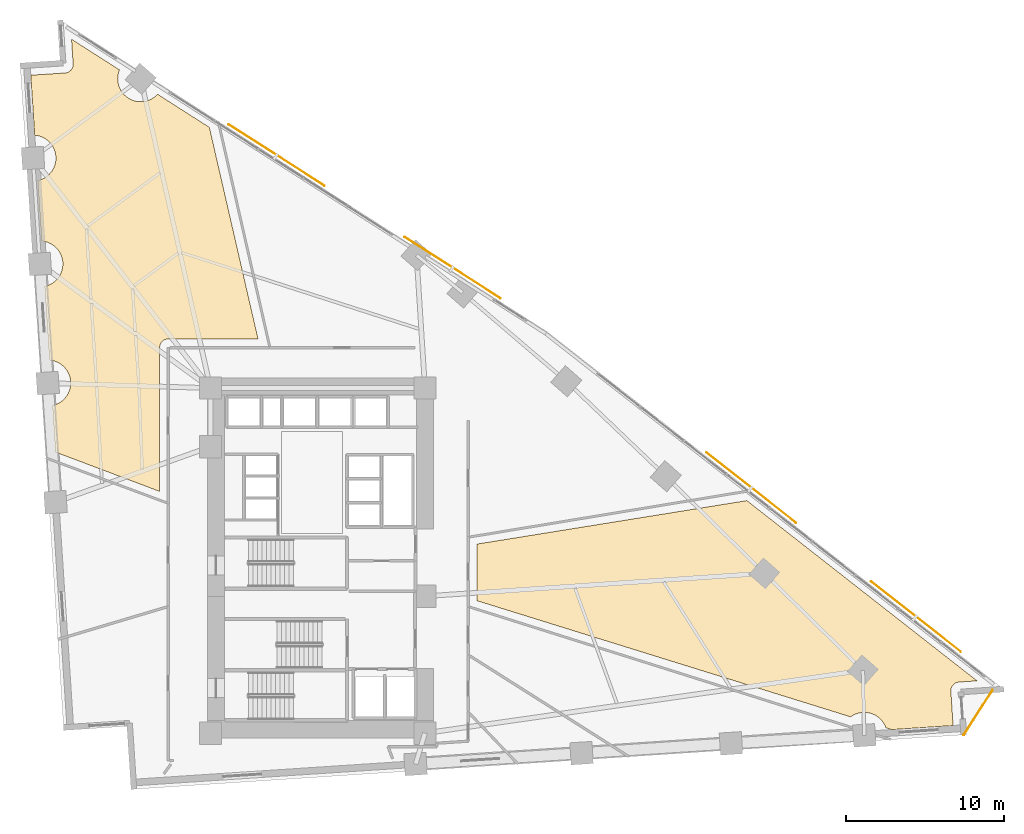
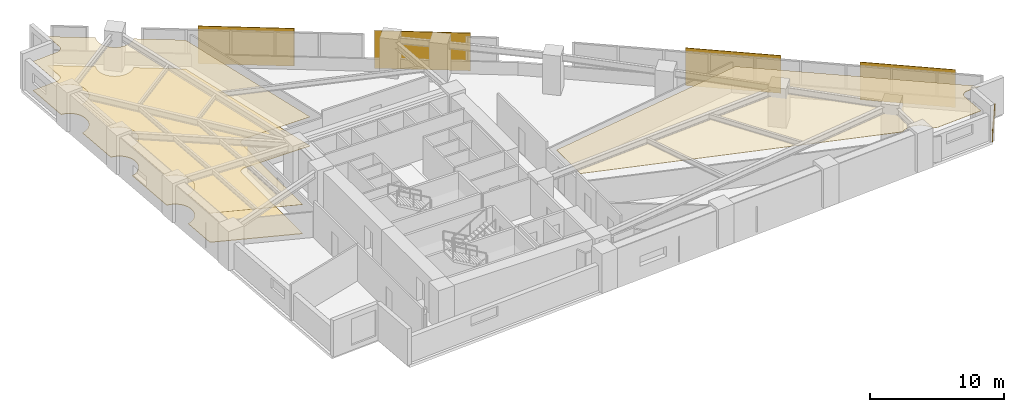
# One storey, part 15 of 15: 4 shading devices, 3 coverings, 1 railing.
"""IFC4 building model written with IfcOpenShell, lengths in metres."""

from ifc_helpers import new_model, si_unit, direction, frame, origin, origin_2d, place, context, subcontext, project, spatial, polyline, rectangle, circle, outline, extrude, material, layer, layer_set, type_object, element, save


model = new_model("IFC4")

# Units and contexts
model_context = context("Model", 3, precision=1e-05, world=origin(), true_north=direction((0.0, 1.0)))
body_context = subcontext(model_context, "Body", "Model", "MODEL_VIEW")
ifc_project = project(units=[si_unit("LENGTHUNIT", "METRE"), si_unit("AREAUNIT", "SQUARE_METRE"), si_unit("VOLUMEUNIT", "CUBIC_METRE"), si_unit("PLANEANGLEUNIT", "RADIAN"), si_unit("MASSUNIT", "GRAM", prefix="KILO")], contexts=[model_context])

# Site, building, storey
site_placement = place(None, origin())
site = spatial("IfcSite", under=ifc_project, at=site_placement, CompositionType="ELEMENT")
building_placement = place(site_placement, origin())
building = spatial("IfcBuilding", under=site, at=building_placement, Name="Narakoshi Arena Tower", CompositionType="ELEMENT")
storey_placement = place(building_placement, frame((0.0, 0.0, 70.5)))
storey = spatial("IfcBuildingStorey", under=building, at=storey_placement, Name="L18", CompositionType="ELEMENT", Elevation=70.5)

# Coverings
ifc_material_1 = material(Name="Acoustic mineral-fibre ceiling tile")
ifc_layer_1 = layer(ifc_material_1, 0.02001953125)
ifc_layer_set_1 = layer_set([ifc_layer_1], Name="Acoustic mineral-fibre ceiling tile")
covering_type_1 = type_object("IfcCoveringType", Name="COV-CLG-AC20", PredefinedType="CEILING", material=ifc_layer_set_1)
covering_1_placement = place(storey_placement, frame((0.0, 0.0, 2.669921875)))
element("IfcCovering", 1, at=covering_1_placement, inside=storey, type_object=covering_type_1, Name="L18 Suspended Acoustic Ceiling 1", PredefinedType="CEILING", context=body_context, shape_type="SweptSolid", body=[
    extrude(outline(polyline([(62.863037109375, 76.41552734375), (62.915771484375, 76.427001953125), (62.967041015625, 76.443603515625), (63.0166015625, 76.46484375), (63.063720703125, 76.4912109375), (63.108154296875, 76.52197265625), (63.1494140625, 76.556884765625), (63.18701171875, 76.595703125), (63.220458984375, 76.6376953125), (63.249755859375, 76.68310546875), (63.2744140625, 76.731201171875), (63.294189453125, 76.781494140625), (63.30908203125, 76.833251953125), (63.318603515625, 76.886474609375), (63.322998046875, 76.940185546875), (63.322265625, 76.994140625), (63.220703125, 78.541259765625), (66.252197265625, 76.602294921875), (66.250244140625, 76.598388671875), (66.202392578125, 76.46435546875), (66.167724609375, 76.326416015625), (66.14697265625, 76.185546875), (66.139892578125, 76.04345703125), (66.14697265625, 75.9013671875), (66.167724609375, 75.760498046875), (66.202392578125, 75.62255859375), (66.250244140625, 75.488525390625), (66.31103515625, 75.35986328125), (66.38427734375, 75.23779296875), (66.468994140625, 75.12353515625), (66.564697265625, 75.01806640625), (66.669921875, 74.922607421875), (66.7841796875, 74.837890625), (66.906494140625, 74.7646484375), (67.034912109375, 74.703857421875), (67.1689453125, 74.65576171875), (67.306884765625, 74.621337890625), (67.44775390625, 74.600341796875), (67.58984375, 74.593505859375), (67.73193359375, 74.600341796875), (67.872802734375, 74.621337890625), (68.0107421875, 74.65576171875), (68.144775390625, 74.703857421875), (68.2734375, 74.7646484375), (68.3955078125, 74.837890625), (68.509765625, 74.922607421875), (68.615234375, 75.01806640625), (68.656982421875, 75.064208984375), (71.929443359375, 72.970947265625), (75.001708984375, 59.610107421875), (69.340087890625, 59.610107421875), (69.2861328125, 59.607421875), (69.232666015625, 59.599365234375), (69.180419921875, 59.586181640625), (69.12939453125, 59.568115234375), (69.080810546875, 59.545166015625), (69.034423828125, 59.517333984375), (68.9912109375, 59.485107421875), (68.951171875, 59.448974609375), (68.914794921875, 59.408935546875), (68.8828125, 59.365478515625), (68.85498046875, 59.3193359375), (68.831787109375, 59.2705078125), (68.813720703125, 59.2197265625), (68.800537109375, 59.167236328125), (68.79248046875, 59.114013671875), (68.7900390625, 59.06005859375), (68.7900390625, 49.972900390625), (62.20849609375, 52.45361328125), (62.015380859375, 55.40087890625), (62.1376953125, 55.431396484375), (62.271728515625, 55.4794921875), (62.400390625, 55.540283203125), (62.5224609375, 55.61328125), (62.63671875, 55.697998046875), (62.7421875, 55.793701171875), (62.837890625, 55.899169921875), (62.922607421875, 56.013427734375), (62.99560546875, 56.135498046875), (63.056396484375, 56.26416015625), (63.1044921875, 56.398193359375), (63.138916015625, 56.5361328125), (63.159912109375, 56.677001953125), (63.1669921875, 56.819091796875), (63.159912109375, 56.961181640625), (63.138916015625, 57.101806640625), (63.1044921875, 57.239990234375), (63.056396484375, 57.373779296875), (62.99560546875, 57.50244140625), (62.922607421875, 57.62451171875), (62.837890625, 57.739013671875), (62.7421875, 57.84423828125), (62.63671875, 57.93994140625), (62.5224609375, 58.024658203125), (62.400390625, 58.097900390625), (62.271728515625, 58.15869140625), (62.1376953125, 58.20654296875), (61.999755859375, 58.2412109375), (61.85888671875, 58.261962890625), (61.82763671875, 58.263671875), (61.522216796875, 62.9248046875), (61.644775390625, 62.955322265625), (61.77880859375, 63.00341796875), (61.9072265625, 63.064208984375), (62.029296875, 63.137451171875), (62.143798828125, 63.22216796875), (62.2490234375, 63.317626953125), (62.3447265625, 63.423095703125), (62.429443359375, 63.537353515625), (62.502685546875, 63.659423828125), (62.5634765625, 63.7880859375), (62.611328125, 63.922119140625), (62.64599609375, 64.06005859375), (62.666748046875, 64.200927734375), (62.673828125, 64.343017578125), (62.666748046875, 64.485107421875), (62.64599609375, 64.6259765625), (62.611328125, 64.763916015625), (62.5634765625, 64.89794921875), (62.502685546875, 65.026611328125), (62.429443359375, 65.148681640625), (62.3447265625, 65.262939453125), (62.2490234375, 65.368408203125), (62.143798828125, 65.4638671875), (62.029296875, 65.548583984375), (61.9072265625, 65.621826171875), (61.77880859375, 65.6826171875), (61.644775390625, 65.730712890625), (61.506591796875, 65.76513671875), (61.365966796875, 65.785888671875), (61.334716796875, 65.78759765625), (61.083984375, 69.61279296875), (61.206298828125, 69.643310546875), (61.34033203125, 69.69140625), (61.468994140625, 69.752197265625), (61.591064453125, 69.8251953125), (61.705322265625, 69.909912109375), (61.810791015625, 70.005615234375), (61.90625, 70.111083984375), (61.990966796875, 70.225341796875), (62.064208984375, 70.347412109375), (62.125, 70.47607421875), (62.173095703125, 70.610107421875), (62.20751953125, 70.748046875), (62.228515625, 70.888916015625), (62.2353515625, 71.031005859375), (62.228515625, 71.173095703125), (62.20751953125, 71.313720703125), (62.173095703125, 71.451904296875), (62.125, 71.585693359375), (62.064208984375, 71.71435546875), (61.990966796875, 71.83642578125), (61.90625, 71.95068359375), (61.810791015625, 72.05615234375), (61.705322265625, 72.15185546875), (61.591064453125, 72.236572265625), (61.468994140625, 72.309814453125), (61.34033203125, 72.37060546875), (61.206298828125, 72.41845703125), (61.068359375, 72.452880859375), (60.927490234375, 72.473876953125), (60.896240234375, 72.4755859375), (60.647705078125, 76.267578125), (62.809326171875, 76.409423828125), (62.863037109375, 76.41552734375)])), origin(), (0.0, 0.0, 1.0), 0.02001953125),
])
ifc_material_2 = material(Name="Slatted oak acoustic timber baffle", Category="wood")
ifc_layer_2 = layer(ifc_material_2, 0.034912109375)
ifc_layer_set_2 = layer_set([ifc_layer_2], Name="Slatted oak acoustic timber baffle")
covering_type_2 = type_object("IfcCoveringType", Name="COV-CLG-WD35", PredefinedType="CEILING", material=ifc_layer_set_2)
covering_2_placement = place(storey_placement, frame((0.0, 0.0, 2.655029296875)))
element("IfcCovering", 2, at=covering_2_placement, inside=storey, type_object=covering_type_2, Name="L18 Suspended Acoustic Ceiling 2", PredefinedType="CEILING", context=body_context, shape_type="SweptSolid", body=[
    extrude(outline(polyline([(119.23193359375, 37.922607421875), (119.17919921875, 37.9111328125), (119.1279296875, 37.89453125), (119.078369140625, 37.873046875), (119.03125, 37.846923828125), (118.98681640625, 37.816162109375), (118.945556640625, 37.78125), (118.908203125, 37.742431640625), (118.87451171875, 37.7001953125), (118.84521484375, 37.65478515625), (118.820556640625, 37.606689453125), (118.80078125, 37.556640625), (118.785888671875, 37.504638671875), (118.7763671875, 37.45166015625), (118.77197265625, 37.397705078125), (118.772705078125, 37.34375), (118.91455078125, 35.181884765625), (115.0283203125, 34.92724609375), (114.66748046875, 35.03955078125), (114.63916015625, 35.118408203125), (114.578369140625, 35.2470703125), (114.505126953125, 35.369140625), (114.42041015625, 35.4833984375), (114.324951171875, 35.5888671875), (114.219482421875, 35.684326171875), (114.105224609375, 35.76904296875), (113.983154296875, 35.84228515625), (113.8544921875, 35.903076171875), (113.720458984375, 35.951171875), (113.58251953125, 35.985595703125), (113.441650390625, 36.006591796875), (113.299560546875, 36.013427734375), (113.157470703125, 36.006591796875), (113.0166015625, 35.985595703125), (112.878662109375, 35.951171875), (112.74462890625, 35.903076171875), (112.6162109375, 35.84228515625), (112.493896484375, 35.76904296875), (112.442626953125, 35.731201171875), (88.83740234375, 43.068603515625), (88.83740234375, 46.6474609375), (105.8828125, 49.39306640625), (120.429931640625, 38.003662109375), (119.28564453125, 37.9287109375), (119.23193359375, 37.922607421875)])), origin(), (0.0, 0.0, 1.0), 0.034912109375),
])
ifc_material_3 = material(Name="Raised steel access floor panel", Category="steel")
ifc_layer_3 = layer(ifc_material_3, 0.044921875)
ifc_layer_set_3 = layer_set([ifc_layer_3], Name="Raised steel access floor panel")
covering_type_3 = type_object("IfcCoveringType", Name="COV-FLR-RF45", PredefinedType="FLOORING", material=ifc_layer_set_3)
covering_3_placement = place(storey_placement, origin())
element("IfcCovering", 3, at=covering_3_placement, inside=storey, type_object=covering_type_3, Name="L18 Raised Steel Access Floor", PredefinedType="FLOORING", context=body_context, shape_type="SweptSolid", body=[
    extrude(outline(polyline([(62.863037109375, 76.41552734375), (62.915771484375, 76.427001953125), (62.967041015625, 76.443603515625), (63.0166015625, 76.46484375), (63.063720703125, 76.4912109375), (63.108154296875, 76.52197265625), (63.1494140625, 76.556884765625), (63.18701171875, 76.595703125), (63.220458984375, 76.6376953125), (63.249755859375, 76.68310546875), (63.2744140625, 76.731201171875), (63.294189453125, 76.781494140625), (63.30908203125, 76.833251953125), (63.318603515625, 76.886474609375), (63.322998046875, 76.940185546875), (63.322265625, 76.994140625), (63.220703125, 78.541259765625), (66.252197265625, 76.602294921875), (66.250244140625, 76.598388671875), (66.202392578125, 76.46435546875), (66.167724609375, 76.326416015625), (66.14697265625, 76.185546875), (66.139892578125, 76.04345703125), (66.14697265625, 75.9013671875), (66.167724609375, 75.760498046875), (66.202392578125, 75.62255859375), (66.250244140625, 75.488525390625), (66.31103515625, 75.35986328125), (66.38427734375, 75.23779296875), (66.468994140625, 75.12353515625), (66.564697265625, 75.01806640625), (66.669921875, 74.922607421875), (66.7841796875, 74.837890625), (66.906494140625, 74.7646484375), (67.034912109375, 74.703857421875), (67.1689453125, 74.65576171875), (67.306884765625, 74.621337890625), (67.44775390625, 74.600341796875), (67.58984375, 74.593505859375), (67.73193359375, 74.600341796875), (67.872802734375, 74.621337890625), (68.0107421875, 74.65576171875), (68.144775390625, 74.703857421875), (68.2734375, 74.7646484375), (68.3955078125, 74.837890625), (68.509765625, 74.922607421875), (68.615234375, 75.01806640625), (68.656982421875, 75.064208984375), (71.929443359375, 72.970947265625), (75.001708984375, 59.610107421875), (69.340087890625, 59.610107421875), (69.2861328125, 59.607421875), (69.232666015625, 59.599365234375), (69.180419921875, 59.586181640625), (69.12939453125, 59.568115234375), (69.080810546875, 59.545166015625), (69.034423828125, 59.517333984375), (68.9912109375, 59.485107421875), (68.951171875, 59.448974609375), (68.914794921875, 59.408935546875), (68.8828125, 59.365478515625), (68.85498046875, 59.3193359375), (68.831787109375, 59.2705078125), (68.813720703125, 59.2197265625), (68.800537109375, 59.167236328125), (68.79248046875, 59.114013671875), (68.7900390625, 59.06005859375), (68.7900390625, 49.972900390625), (62.20849609375, 52.45361328125), (62.015380859375, 55.40087890625), (62.1376953125, 55.431396484375), (62.271728515625, 55.4794921875), (62.400390625, 55.540283203125), (62.5224609375, 55.61328125), (62.63671875, 55.697998046875), (62.7421875, 55.793701171875), (62.837890625, 55.899169921875), (62.922607421875, 56.013427734375), (62.99560546875, 56.135498046875), (63.056396484375, 56.26416015625), (63.1044921875, 56.398193359375), (63.138916015625, 56.5361328125), (63.159912109375, 56.677001953125), (63.1669921875, 56.819091796875), (63.159912109375, 56.961181640625), (63.138916015625, 57.101806640625), (63.1044921875, 57.239990234375), (63.056396484375, 57.373779296875), (62.99560546875, 57.50244140625), (62.922607421875, 57.62451171875), (62.837890625, 57.739013671875), (62.7421875, 57.84423828125), (62.63671875, 57.93994140625), (62.5224609375, 58.024658203125), (62.400390625, 58.097900390625), (62.271728515625, 58.15869140625), (62.1376953125, 58.20654296875), (61.999755859375, 58.2412109375), (61.85888671875, 58.261962890625), (61.82763671875, 58.263671875), (61.522216796875, 62.9248046875), (61.644775390625, 62.955322265625), (61.77880859375, 63.00341796875), (61.9072265625, 63.064208984375), (62.029296875, 63.137451171875), (62.143798828125, 63.22216796875), (62.2490234375, 63.317626953125), (62.3447265625, 63.423095703125), (62.429443359375, 63.537353515625), (62.502685546875, 63.659423828125), (62.5634765625, 63.7880859375), (62.611328125, 63.922119140625), (62.64599609375, 64.06005859375), (62.666748046875, 64.200927734375), (62.673828125, 64.343017578125), (62.666748046875, 64.485107421875), (62.64599609375, 64.6259765625), (62.611328125, 64.763916015625), (62.5634765625, 64.89794921875), (62.502685546875, 65.026611328125), (62.429443359375, 65.148681640625), (62.3447265625, 65.262939453125), (62.2490234375, 65.368408203125), (62.143798828125, 65.4638671875), (62.029296875, 65.548583984375), (61.9072265625, 65.621826171875), (61.77880859375, 65.6826171875), (61.644775390625, 65.730712890625), (61.506591796875, 65.76513671875), (61.365966796875, 65.785888671875), (61.334716796875, 65.78759765625), (61.083984375, 69.61279296875), (61.206298828125, 69.643310546875), (61.34033203125, 69.69140625), (61.468994140625, 69.752197265625), (61.591064453125, 69.8251953125), (61.705322265625, 69.909912109375), (61.810791015625, 70.005615234375), (61.90625, 70.111083984375), (61.990966796875, 70.225341796875), (62.064208984375, 70.347412109375), (62.125, 70.47607421875), (62.173095703125, 70.610107421875), (62.20751953125, 70.748046875), (62.228515625, 70.888916015625), (62.2353515625, 71.031005859375), (62.228515625, 71.173095703125), (62.20751953125, 71.313720703125), (62.173095703125, 71.451904296875), (62.125, 71.585693359375), (62.064208984375, 71.71435546875), (61.990966796875, 71.83642578125), (61.90625, 71.95068359375), (61.810791015625, 72.05615234375), (61.705322265625, 72.15185546875), (61.591064453125, 72.236572265625), (61.468994140625, 72.309814453125), (61.34033203125, 72.37060546875), (61.206298828125, 72.41845703125), (61.068359375, 72.452880859375), (60.927490234375, 72.473876953125), (60.896240234375, 72.4755859375), (60.647705078125, 76.267578125), (62.809326171875, 76.409423828125), (62.863037109375, 76.41552734375)])), origin(), (0.0, 0.0, 1.0), 0.044921875),
])

# Railing
ifc_material_4 = material(Name="Brushed bronze stainless steel", Category="steel")
railing_type = type_object("IfcRailingType", Name="RL-GRD-1150", PredefinedType="GUARDRAIL", material=ifc_material_4)
railing_placement = place(storey_placement, frame((119.58447265625, 34.594482421875, 0.0)))
element("IfcRailing", 4, at=railing_placement, inside=storey, type_object=railing_type, Name="L18 Corner Loggia Balcony Guardrail", PredefinedType="GUARDRAIL", context=body_context, shape_type="SweptSolid", body=[
    extrude(circle(Radius=0.02392578125, at=origin_2d()), frame((0.0, 0.0, 1.1259765625), z_axis=(0.54098761477, 0.841030558699, 0.0), x_axis=(-0.841030558699, 0.54098761477, 0.0)), (0.0, 0.0, 1.0), 3.379150390625),
    extrude(circle(Radius=0.02099609375, at=origin_2d()), origin(), (0.0, 0.0, 1.0), 1.101806640625),
    extrude(circle(Radius=0.02099609375, at=origin_2d()), frame((0.609375, 0.947265625, 0.0)), (0.0, 0.0, 1.0), 1.101806640625),
    extrude(circle(Radius=0.02099609375, at=origin_2d()), frame((1.21875, 1.894775390625, 0.0)), (0.0, 0.0, 1.0), 1.101806640625),
    extrude(circle(Radius=0.02099609375, at=origin_2d()), frame((1.828125, 2.842041015625, 0.0)), (0.0, 0.0, 1.0), 1.101806640625),
])

# Shading devices
ifc_material_5 = material(Name="Perforated bronze ceramic-metal composite")
ifc_layer_4 = layer(ifc_material_5, 0.044921875)
ifc_layer_set_4 = layer_set([ifc_layer_4], Name="Perforated bronze ceramic-metal composite")
shading_device_type = type_object("IfcShadingDeviceType", Name="SHD-SCR-BRZ1", PredefinedType="USERDEFINED", material=ifc_layer_set_4)
for number, where, z_axis, x_axis, name in (
    (5, (116.560546875, 42.06494140625, 0.0), (0.0, 0.0, 1.0), (-0.787387121413, 0.616458855912, 0.0), "L18 Perforated Bronze Solar Screen 1-1"),
    (6, (106.1669921875, 50.2021484375, 0.0), (0.0, 0.0, 1.0), (-0.787387121413, 0.616458855912, 0.0), "L18 Perforated Bronze Solar Screen 1-2"),
    (7, (87.29541015625, 64.10693359375, 0.0), (0.0, 0.0, 1.0), (-0.842414781658, 0.538829597966, 0.0), "L18 Perforated Bronze Solar Screen 2-1"),
    (8, (76.17529296875, 71.219482421875, 0.0), (0.0, 0.0, 1.0), (-0.842414781658, 0.538829597966, 0.0), "L18 Perforated Bronze Solar Screen 2-2"),
):
    element("IfcShadingDevice", number, at=place(storey_placement, frame(where, z_axis=z_axis, x_axis=x_axis)), inside=storey, type_object=shading_device_type, Name=name, ObjectType="SOLAR SCREEN", PredefinedType="USERDEFINED", context=body_context, shape_type="SweptSolid", body=[
        extrude(rectangle(XDim=7.199951171875, YDim=0.044921875, at=origin_2d()), origin(), (0.0, 0.0, 1.0), 3.449951171875),
    ])

save(model, "model.ifc")
